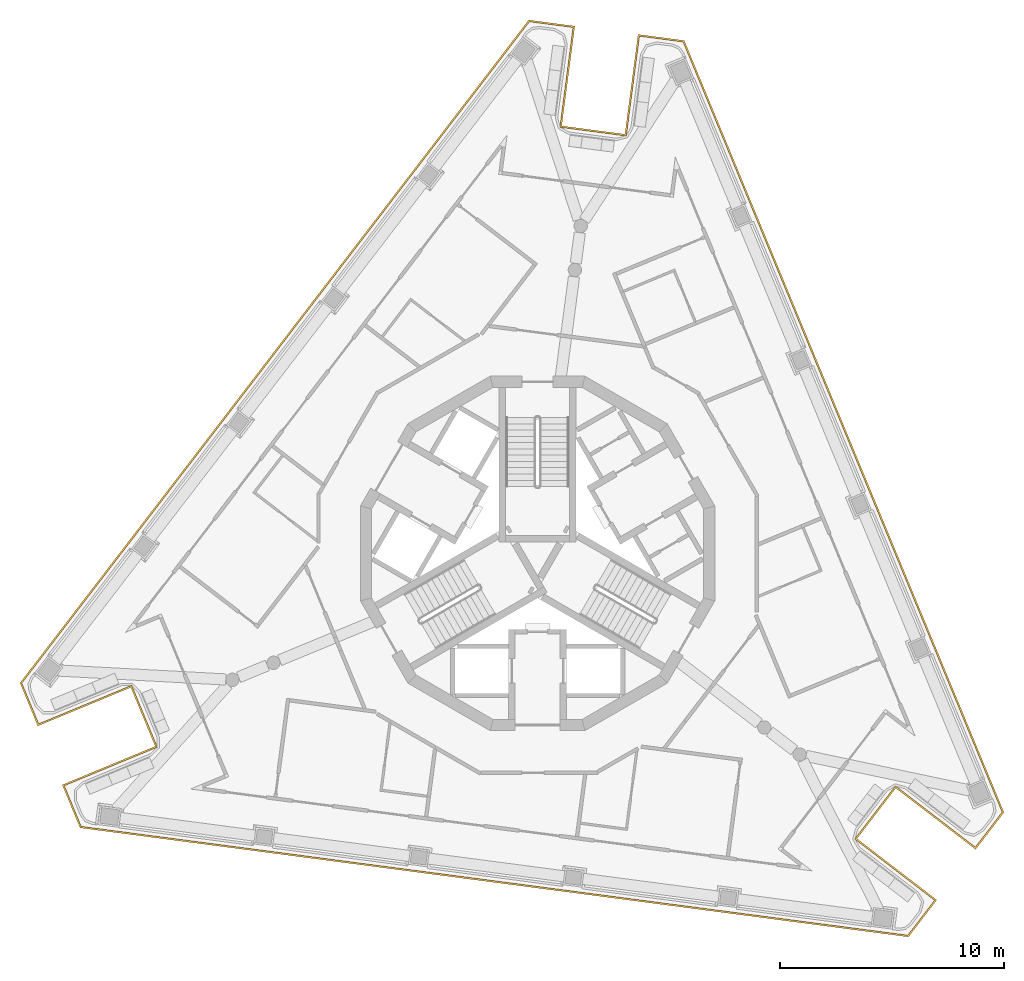
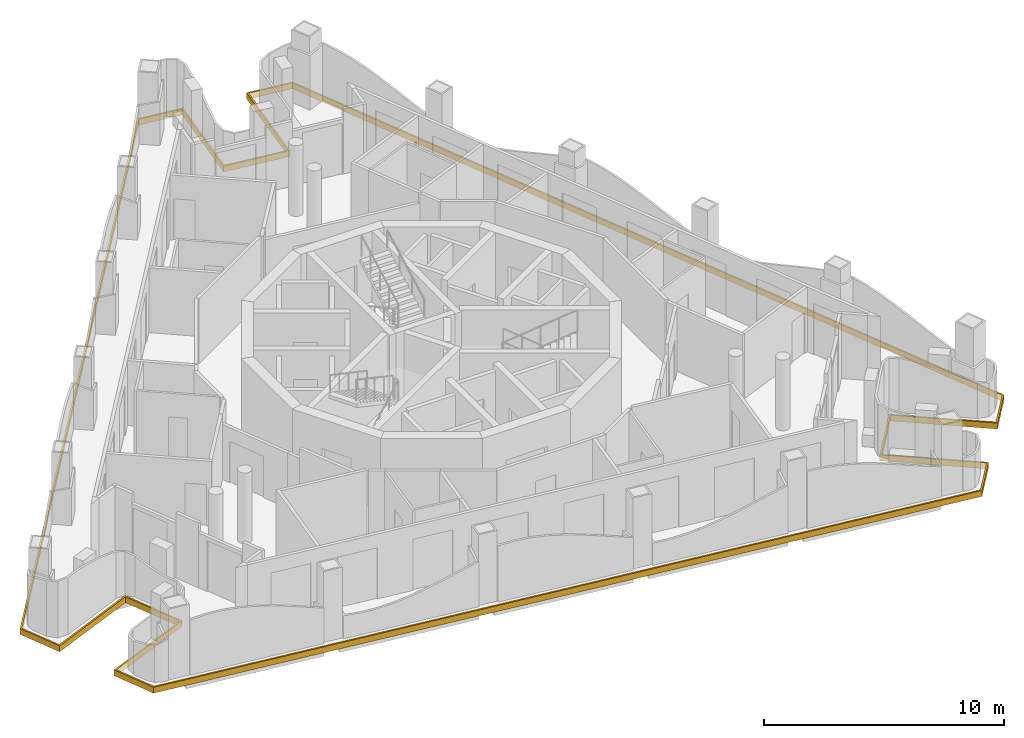
# One storey, part 9 of 12: 1 covering.
"""IFC4 building model written with IfcOpenShell, lengths in metres."""

from ifc_helpers import new_model, si_unit, direction, frame, origin, place, context, subcontext, project, spatial, polyline, outline, extrude, material, layer, layer_set, type_object, element, save


model = new_model("IFC4")

# Units and contexts
model_context = context("Model", 3, precision=1e-05, world=origin(), true_north=direction((0.0, 1.0)))
body_context = subcontext(model_context, "Body", "Model", "MODEL_VIEW")
ifc_project = project(units=[si_unit("LENGTHUNIT", "METRE"), si_unit("AREAUNIT", "SQUARE_METRE"), si_unit("VOLUMEUNIT", "CUBIC_METRE"), si_unit("PLANEANGLEUNIT", "RADIAN"), si_unit("MASSUNIT", "GRAM", prefix="KILO")], contexts=[model_context])

# Site, building, storey
site_placement = place(None, origin())
site = spatial("IfcSite", under=ifc_project, at=site_placement, CompositionType="ELEMENT")
building_placement = place(site_placement, origin())
building = spatial("IfcBuilding", under=site, at=building_placement, Name="Trine Commons Tower", CompositionType="ELEMENT")
storey_placement = place(building_placement, frame((0.0, 0.0, 293.39990234375)))
storey = spatial("IfcBuildingStorey", under=building, at=storey_placement, Name="L77", CompositionType="ELEMENT", Elevation=293.39990234375)

# Covering
ifc_material = material(Name="Limestone, honed", Category="masonry")
ifc_layer = layer(ifc_material, 0.074951171875)
ifc_layer_set = layer_set([ifc_layer], Name="Limestone, honed")
covering_type = type_object("IfcCoveringType", Name="Limestone spandrel panel 75", PredefinedType="CLADDING", material=ifc_layer_set)
covering_placement = place(storey_placement, frame((0.0, 0.0, -0.2998046875)))
element("IfcCovering", 1, at=covering_placement, inside=storey, type_object=covering_type, Name="Limestone spandrel panel 8-01", PredefinedType="CLADDING", context=body_context, shape_type="SweptSolid", body=[
    extrude(outline(polyline([(96.011962890625, 52.009765625), (99.58203125, 49.2705078125), (100.849609375, 50.92236328125), (86.556396484375, 85.429443359375), (84.49169921875, 85.701416015625), (83.904296875, 81.23974609375), (81.078857421875, 81.61181640625), (81.666259765625, 86.0732421875), (79.6015625, 86.34521484375), (56.8642578125, 56.713134765625), (57.6611328125, 54.789306640625), (61.818603515625, 56.511474609375), (62.9091796875, 53.87841796875), (58.751708984375, 52.15625), (59.548583984375, 50.232421875), (96.579345703125, 45.357177734375), (97.846923828125, 47.00927734375), (94.277099609375, 49.748779296875), (96.011962890625, 52.009765625)]), holes=[polyline([(84.556396484375, 85.6171875), (86.503662109375, 85.36083984375), (100.763916015625, 50.933837890625), (99.568115234375, 49.37548828125), (95.998046875, 52.114990234375), (94.171875, 49.73486328125), (97.741943359375, 46.99560546875), (96.546142578125, 45.437255859375), (59.601318359375, 50.301025390625), (58.849853515625, 52.11572265625), (63.007080078125, 53.837890625), (61.859130859375, 56.609375), (57.70166015625, 54.88720703125), (56.9501953125, 56.701904296875), (79.634765625, 86.26513671875), (81.58203125, 86.0087890625), (80.99462890625, 81.54736328125), (83.968994140625, 81.15576171875), (84.556396484375, 85.6171875)])]), origin(), (0.0, 0.0, 1.0), 0.2998046875),
])

save(model, "model.ifc")
